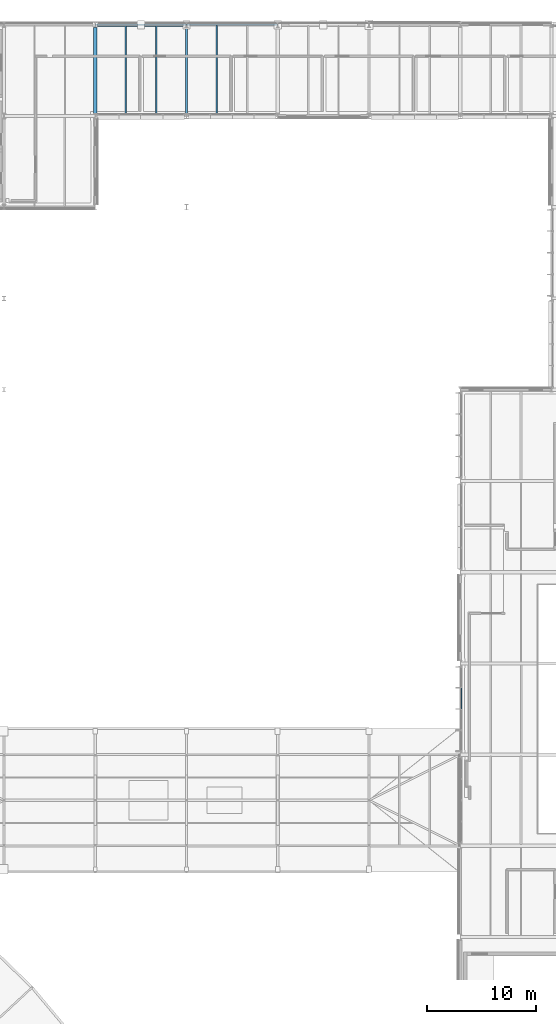
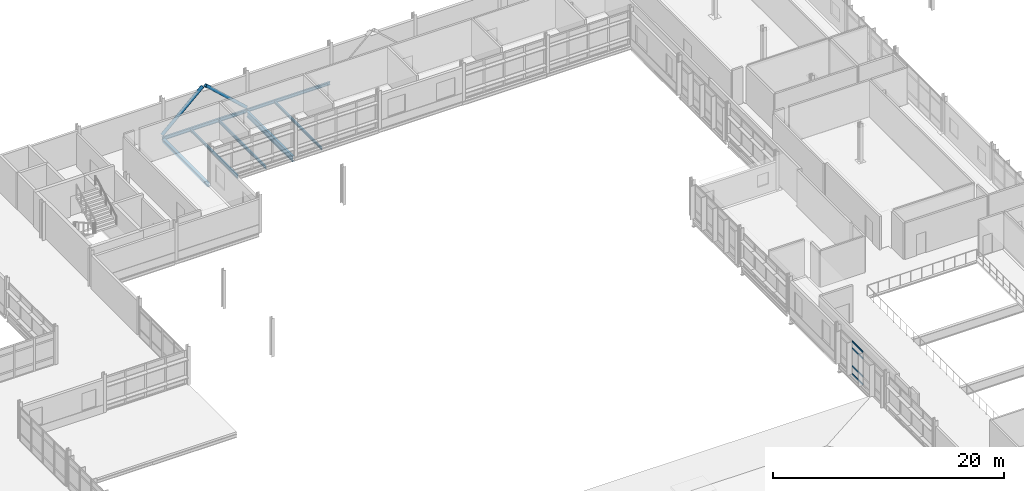
# One storey, part 55 of 151: 7 beams, 6 members, 1 element without a shape of its own.
"""IFC4 building model written with IfcOpenShell, lengths in metres."""

import ifcopenshell
import ifcopenshell.guid

model = None  # the IFC model being written
_history = None  # IfcOwnerHistory: only IFC2X3 demands one
_inside = {}  # id of a spatial element -> (the spatial element, [elements in it])
_under = {}  # id of a project, library or spatial element -> (it, [spatial elements below it])
_declared = {}  # id of a project -> (the project, [libraries it declares])
_typed = {}  # id of a type object -> (the type object, [elements of that type])
_made_of = {}  # id of a material, layer set ... -> (it, [elements and type objects made of it])


def new_model(schema):
    """Start an empty IFC model of exactly this schema.

    Asked for "IFC4X3", IfcOpenShell would pick the latest addendum, in which some entities
    have other attributes; the version numbers below select the first issue.
    IFC2X3 requires an IfcOwnerHistory on every rooted entity: one is made here for all.
    """
    global model, _history
    if schema == "IFC4X3":
        model = ifcopenshell.file(schema_version=(4, 3, 0, 0))
    else:
        model = ifcopenshell.file(schema=schema)
    _inside.clear()
    _under.clear()
    _declared.clear()
    _typed.clear()
    _made_of.clear()
    _history = None
    if model.schema == "IFC2X3":
        org = make("IfcOrganization", Name="unknown")
        user = make(
            "IfcPersonAndOrganization",
            ThePerson=make("IfcPerson", FamilyName="unknown"),
            TheOrganization=org,
        )
        app = make(
            "IfcApplication",
            ApplicationDeveloper=org,
            Version="unknown",
            ApplicationFullName="unknown",
            ApplicationIdentifier="unknown",
        )
        _history = make(
            "IfcOwnerHistory",
            OwningUser=user,
            OwningApplication=app,
            ChangeAction="ADDED",
            CreationDate=0,
        )
    return model


def make(cls, **values):
    """One entity of the class cls with the attributes given. An attribute that is None is left unset."""
    return model.create_entity(
        cls, **{name: value for name, value in values.items() if value is not None}
    )


def rooted(cls, **values):
    """An entity with a GlobalId (a new one), such as an element, a storey or a relation."""
    return make(cls, GlobalId=ifcopenshell.guid.new(), OwnerHistory=_history, **values)


def si_unit(unit_type, name, prefix=None):
    """IfcSIUnit, for example si_unit("LENGTHUNIT", "METRE", prefix="MILLI")."""
    return make("IfcSIUnit", UnitType=unit_type, Prefix=prefix, Name=name)


def assignment(units):
    """IfcUnitAssignment: the units of a project."""
    return None if units is None else make("IfcUnitAssignment", Units=units)


def point(xyz):
    """IfcCartesianPoint."""
    return None if xyz is None else make("IfcCartesianPoint", Coordinates=xyz)


def direction(xyz):
    """IfcDirection."""
    return None if xyz is None else make("IfcDirection", DirectionRatios=xyz)


def frame(location, z_axis=None, x_axis=None):
    """IfcAxis2Placement3D, a coordinate frame: its origin and axes. An axis left out is left unset."""
    return make(
        "IfcAxis2Placement3D",
        Location=point(location),
        Axis=direction(z_axis),
        RefDirection=direction(x_axis),
    )


def frame_2d(location, x_axis=None):
    """IfcAxis2Placement2D, a coordinate frame in the plane: its origin and x axis."""
    return make(
        "IfcAxis2Placement2D", Location=point(location), RefDirection=direction(x_axis)
    )


def origin():
    """The frame at (0, 0, 0) with its axes left unset."""
    return frame((0.0, 0.0, 0.0))


def origin_2d():
    """The frame at (0, 0) in the plane with its x axis left unset."""
    return frame_2d((0.0, 0.0))


def place(relative_to, where):
    """IfcLocalPlacement: puts the frame where relative to a parent placement (None: the world)."""
    return make(
        "IfcLocalPlacement", PlacementRelTo=relative_to, RelativePlacement=where
    )


def context(
    kind, dimensions, precision=None, world=None, true_north=None, identifier=None
):
    """IfcGeometricRepresentationContext, for example the 3D "Model" context."""
    return make(
        "IfcGeometricRepresentationContext",
        ContextIdentifier=identifier,
        ContextType=kind,
        CoordinateSpaceDimension=dimensions,
        Precision=precision,
        WorldCoordinateSystem=world,
        TrueNorth=true_north,
    )


def subcontext(parent, identifier, kind, view, scale=None):
    """IfcGeometricRepresentationSubContext, for example "Body" below "Model"."""
    return make(
        "IfcGeometricRepresentationSubContext",
        ContextIdentifier=identifier,
        ContextType=kind,
        ParentContext=parent,
        TargetScale=scale,
        TargetView=view,
    )


def project(units=None, contexts=None):
    """IfcProject with its units and contexts."""
    return rooted(
        "IfcProject",
        Name="project",
        RepresentationContexts=contexts,
        UnitsInContext=assignment(units),
    )


def spatial(cls, under=None, at=None, **own):
    """A site, building, storey or space (cls), placed at a placement, below another one or the project."""
    s = rooted(cls, ObjectPlacement=at, **own)
    if under is not None:
        _under.setdefault(under.id(), (under, []))[1].append(s)
    return s


def profile(cls, at=None, kind="AREA", **sizes):
    """A parametric profile (cls). Its sizes go by their IFC names, for example OverallWidth=200.0."""
    return make(cls, ProfileType=kind, Position=at, **sizes)


def hollow_rectangle(**sizes):
    """IfcRectangleHollowProfileDef."""
    return profile("IfcRectangleHollowProfileDef", **sizes)


def hollow_circle(**sizes):
    """IfcCircleHollowProfileDef."""
    return profile("IfcCircleHollowProfileDef", **sizes)


def i_section(**sizes):
    """IfcIShapeProfileDef."""
    return profile("IfcIShapeProfileDef", **sizes)


def extrude(swept, where, along, depth):
    """IfcExtrudedAreaSolid: the profile swept, set in the frame where, extruded along a direction by depth."""
    return make(
        "IfcExtrudedAreaSolid",
        SweptArea=swept,
        Position=where,
        ExtrudedDirection=direction(along),
        Depth=depth,
    )


def shape(context_of_items, identifier, shape_type, items):
    """IfcShapeRepresentation: the items that make up one representation, for example the "Body"."""
    return make(
        "IfcShapeRepresentation",
        ContextOfItems=context_of_items,
        RepresentationIdentifier=identifier,
        RepresentationType=shape_type,
        Items=items,
    )


def material(Name=None, Category=None):
    """IfcMaterial."""
    return make("IfcMaterial", Name=Name, Category=Category)


def material_profile(
    of_material, cross_section, Name=None, Category=None, Priority=None
):
    """IfcMaterialProfile: a cross section and its material."""
    return make(
        "IfcMaterialProfile",
        Name=Name,
        Material=of_material,
        Profile=cross_section,
        Priority=Priority,
        Category=Category,
    )


def profile_set(profiles, Name=None, composite=None):
    """IfcMaterialProfileSet."""
    return make(
        "IfcMaterialProfileSet",
        Name=Name,
        MaterialProfiles=profiles,
        CompositeProfile=composite,
    )


def made_of(thing, what):
    """Note that an element or type object is made of a material, layer set ...; save() writes the relation."""
    if what is not None:
        _made_of.setdefault(what.id(), (what, []))[1].append(thing)
    return thing


def type_object(cls, material=None, **own):
    """A type object (cls), such as IfcWallType, which elements share."""
    return made_of(rooted(cls, **own), material)


def element(
    cls,
    number,
    at=None,
    inside=None,
    cuts=None,
    type_object=None,
    material=None,
    context=None,
    identifier="Body",
    shape_type=None,
    held_by="IfcProductDefinitionShape",
    body=None,
    shapes=None,
    **own,
):
    """One element of the class cls, such as IfcWall. Its Tag is "e" and its number.

    at: its placement. inside: the storey or other place that contains it. cuts: it is an
    opening in that element (IfcRelVoidsElement). A single representation is given by context,
    identifier, shape_type and body (its items); several are given by shapes. held_by: the class
    of the entity that holds the representations. save() writes the other relations.
    """
    e = rooted(cls, Tag="e%d" % number, ObjectPlacement=at, **own)
    if body is not None:
        shapes = [shape(context, identifier, shape_type, body)]
    if shapes is not None:
        e.Representation = make(held_by, Representations=shapes)
    if inside is not None:
        _inside.setdefault(inside.id(), (inside, []))[1].append(e)
    if cuts is not None:
        rooted(
            "IfcRelVoidsElement", RelatingBuildingElement=cuts, RelatedOpeningElement=e
        )
    if type_object is not None:
        _typed.setdefault(type_object.id(), (type_object, []))[1].append(e)
    return made_of(e, material)


def aggregate(whole, parts):
    """IfcRelAggregates: a whole, such as a stair, and the parts it consists of."""
    return rooted("IfcRelAggregates", RelatingObject=whole, RelatedObjects=parts)


def save(model, path):
    """Write the relations noted so far, then the file.

    IfcRelAggregates (storeys below a building ...), IfcRelContainedInSpatialStructure (elements
    in a storey), IfcRelDefinesByType, IfcRelAssociatesMaterial and IfcRelDeclares: one each for
    every whole, place, type object, material and project.
    """
    for whole, parts in _under.values():
        aggregate(whole, parts)
    for where, things in _inside.values():
        rooted(
            "IfcRelContainedInSpatialStructure",
            RelatedElements=things,
            RelatingStructure=where,
        )
    for kind, things in _typed.values():
        rooted("IfcRelDefinesByType", RelatedObjects=things, RelatingType=kind)
    for what, things in _made_of.values():
        rooted("IfcRelAssociatesMaterial", RelatedObjects=things, RelatingMaterial=what)
    for by, libraries in _declared.values():
        rooted("IfcRelDeclares", RelatingContext=by, RelatedDefinitions=libraries)
    model.write(path)


model = new_model("IFC4")

# Units and contexts
model_context = context("Model", 3, precision=1e-05, world=origin(), true_north=direction((0.0, 1.0)))
body_context = subcontext(model_context, "Body", "Model", "MODEL_VIEW")
ifc_project = project(units=[si_unit("LENGTHUNIT", "METRE"), si_unit("AREAUNIT", "SQUARE_METRE"), si_unit("VOLUMEUNIT", "CUBIC_METRE"), si_unit("PLANEANGLEUNIT", "RADIAN"), si_unit("MASSUNIT", "GRAM", prefix="KILO")], contexts=[model_context])

# Site, building, storey
site_placement = place(None, origin())
site = spatial("IfcSite", under=ifc_project, at=site_placement, CompositionType="ELEMENT")
building_placement = place(site_placement, origin())
building = spatial("IfcBuilding", under=site, at=building_placement, Name="Mersafa Astral City Hall", CompositionType="ELEMENT")
storey_placement = place(building_placement, frame((0.0, 0.0, 9.89990234375)))
storey = spatial("IfcBuildingStorey", under=building, at=storey_placement, Name="L02", CompositionType="ELEMENT", Elevation=9.89990234375)

# Curtain wall, members
ifc_material_1 = material(Name="Anodised bronze aluminium framing", Category="aluminium")
curtain_wall_type = type_object("IfcCurtainWallType", Name="ENV-CW-3", PredefinedType="USERDEFINED", material=ifc_material_1)
curtain_wall_placement = place(storey_placement, origin())
curtain_wall = element("IfcCurtainWall", 1, at=curtain_wall_placement, inside=storey, type_object=curtain_wall_type, Name="L02 Unitised solar curtain wall 146", ObjectType="UNITISED CURTAIN WALL", PredefinedType="USERDEFINED")
ifc_material_profile_1 = material_profile(ifc_material_1, hollow_rectangle(XDim=0.06005859375, YDim=0.159912109375, WallThickness=0.00390625, at=origin_2d()), Name="RHS 60x160x4")
ifc_profile_set_1 = profile_set([ifc_material_profile_1], Name="Anodised bronze aluminium framing")
member_type_1 = type_object("IfcMemberType", Name="ENV-CW-TRN-2", PredefinedType="USERDEFINED", material=ifc_profile_set_1)
member_1_placement = place(storey_placement, frame((92.52001953125, 64.926513671875, 0.028076171875), z_axis=(0.0, -1.0, 0.0), x_axis=(1.0, 0.0, 0.0)))
member_1 = element("IfcMember", 2, at=member_1_placement, type_object=member_type_1, Name="CW-3 transom 2.1", ObjectType="TRANSOM", PredefinedType="USERDEFINED", context=body_context, shape_type="SweptSolid", body=[
    extrude(hollow_rectangle(XDim=0.06005859375, YDim=0.159912109375, WallThickness=0.00390625, at=origin_2d()), origin(), (0.0, 0.0, 1.0), 1.896484375),
])
member_2_placement = place(storey_placement, frame((92.52001953125, 64.926513671875, 0.85009765625), z_axis=(0.0, -1.0, 0.0), x_axis=(1.0, 0.0, 0.0)))
member_2 = element("IfcMember", 3, at=member_2_placement, type_object=member_type_1, Name="CW-3 transom 2.2", ObjectType="TRANSOM", PredefinedType="USERDEFINED", context=body_context, shape_type="SweptSolid", body=[
    extrude(hollow_rectangle(XDim=0.06005859375, YDim=0.159912109375, WallThickness=0.00390625, at=origin_2d()), origin(), (0.0, 0.0, 1.0), 1.896484375),
])
member_3_placement = place(storey_placement, frame((92.52001953125, 64.926513671875, 2.75), z_axis=(0.0, -1.0, 0.0), x_axis=(1.0, 0.0, 0.0)))
member_3 = element("IfcMember", 4, at=member_3_placement, type_object=member_type_1, Name="CW-3 transom 2.3", ObjectType="TRANSOM", PredefinedType="USERDEFINED", context=body_context, shape_type="SweptSolid", body=[
    extrude(hollow_rectangle(XDim=0.06005859375, YDim=0.159912109375, WallThickness=0.00390625, at=origin_2d()), origin(), (0.0, 0.0, 1.0), 1.896484375),
])
member_4_placement = place(storey_placement, frame((92.52001953125, 64.926513671875, 3.45703125), z_axis=(0.0, -1.0, 0.0), x_axis=(1.0, 0.0, 0.0)))
member_4 = element("IfcMember", 5, at=member_4_placement, type_object=member_type_1, Name="CW-3 transom 2.4", ObjectType="TRANSOM", PredefinedType="USERDEFINED", context=body_context, shape_type="SweptSolid", body=[
    extrude(hollow_rectangle(XDim=0.06005859375, YDim=0.159912109375, WallThickness=0.00390625, at=origin_2d()), origin(), (0.0, 0.0, 1.0), 1.896484375),
])
aggregate(curtain_wall, [member_1, member_2, member_3, member_4])

# Beams
ifc_material_2 = material(Name="Steel S355", Category="steel")
ifc_material_profile_2 = material_profile(ifc_material_2, i_section(OverallWidth=0.300048828125, OverallDepth=0.31005859375, WebThickness=0.009033203125, FlangeThickness=0.015380859375, FilletRadius=0.027099609375, at=origin_2d()), Name="HEA 320")
ifc_profile_set_2 = profile_set([ifc_material_profile_2], Name="Steel S355")
beam_type_1 = type_object("IfcBeamType", Name="STR-BM-HEA320", PredefinedType="BEAM", material=ifc_profile_set_2)
beam_1_placement = place(storey_placement, frame((58.800048828125, 117.844970703125, -0.35498046875), z_axis=(0.0, 1.0, 0.0), x_axis=(-1.0, 0.0, 0.0)))
element("IfcBeam", 6, at=beam_1_placement, inside=storey, type_object=beam_type_1, Name="L02 Primary girder Y 7-14", PredefinedType="BEAM", context=body_context, shape_type="SweptSolid", body=[
    extrude(i_section(OverallWidth=0.300048828125, OverallDepth=0.31005859375, WebThickness=0.009033203125, FlangeThickness=0.015380859375, FilletRadius=0.027099609375, at=origin_2d()), origin(), (0.0, 0.0, 1.0), 7.909912109375),
])
ifc_material_profile_3 = material_profile(ifc_material_2, i_section(OverallWidth=0.219970703125, OverallDepth=0.60009765625, WebThickness=0.011962890625, FlangeThickness=0.01904296875, FilletRadius=0.02392578125, at=origin_2d()), Name="IPE 600")
ifc_profile_set_3 = profile_set([ifc_material_profile_3], Name="Steel S355")
beam_type_2 = type_object("IfcBeamType", Name="STR-BM-IPE600", PredefinedType="BEAM", material=ifc_profile_set_3)
beam_2_placement = place(storey_placement, frame((67.199951171875, 117.844970703125, -0.5), z_axis=(0.0, 1.0, 0.0), x_axis=(-1.0, 0.0, 0.0)))
element("IfcBeam", 7, at=beam_2_placement, inside=storey, type_object=beam_type_2, Name="L02 Primary girder Y 8-14", PredefinedType="BEAM", context=body_context, shape_type="SweptSolid", body=[
    extrude(i_section(OverallWidth=0.219970703125, OverallDepth=0.60009765625, WebThickness=0.011962890625, FlangeThickness=0.01904296875, FilletRadius=0.02392578125, at=origin_2d()), origin(), (0.0, 0.0, 1.0), 7.909912109375),
])
ifc_material_profile_4 = material_profile(ifc_material_2, i_section(OverallWidth=0.135009765625, OverallDepth=0.27001953125, WebThickness=0.006591796875, FlangeThickness=0.01025390625, FilletRadius=0.014892578125, at=origin_2d()), Name="IPE 270")
ifc_profile_set_4 = profile_set([ifc_material_profile_4], Name="Steel S355")
beam_type_3 = type_object("IfcBeamType", Name="STR-BM-JOIST-IPE270", PredefinedType="JOIST", material=ifc_profile_set_4)
beam_3_placement = place(storey_placement, frame((70.0, 117.679931640625, -0.3349609375), z_axis=(0.0, 1.0, 0.0), x_axis=(-1.0, 0.0, 0.0)))
element("IfcBeam", 8, at=beam_3_placement, inside=storey, type_object=beam_type_3, Name="L02 Composite secondary floor joist 428", PredefinedType="JOIST", context=body_context, shape_type="SweptSolid", body=[
    extrude(i_section(OverallWidth=0.135009765625, OverallDepth=0.27001953125, WebThickness=0.006591796875, FlangeThickness=0.01025390625, FilletRadius=0.014892578125, at=origin_2d()), origin(), (0.0, 0.0, 1.0), 8.2451171875),
])
ifc_material_profile_5 = material_profile(ifc_material_2, i_section(OverallWidth=0.14990234375, OverallDepth=0.300048828125, WebThickness=0.007080078125, FlangeThickness=0.0107421875, FilletRadius=0.014892578125, at=origin_2d()), Name="IPE 300")
ifc_profile_set_5 = profile_set([ifc_material_profile_5], Name="Steel S355")
beam_type_4 = type_object("IfcBeamType", Name="STR-BM-JOIST-IPE300", PredefinedType="JOIST", material=ifc_profile_set_5)
for number, where, z_axis, x_axis, name in (
    (9, (61.60009765625, 117.675048828125, -0.349853515625), (0.0, 1.0, 0.0), (-1.0, 0.0, 0.0), "L02 Composite secondary floor joist 426"),
    (10, (64.39990234375, 117.675048828125, -0.349853515625), (0.0, 1.0, 0.0), (-1.0, 0.0, 0.0), "L02 Composite secondary floor joist 427"),
):
    element("IfcBeam", number, at=place(storey_placement, frame(where, z_axis=z_axis, x_axis=x_axis)), inside=storey, type_object=beam_type_4, Name=name, PredefinedType="JOIST", context=body_context, shape_type="SweptSolid", body=[
        extrude(i_section(OverallWidth=0.14990234375, OverallDepth=0.300048828125, WebThickness=0.007080078125, FlangeThickness=0.0107421875, FilletRadius=0.014892578125, at=origin_2d()), origin(), (0.0, 0.0, 1.0), 8.244873046875),
    ])
ifc_material_profile_6 = material_profile(ifc_material_2, i_section(OverallWidth=0.159912109375, OverallDepth=0.330078125, WebThickness=0.007568359375, FlangeThickness=0.011474609375, FilletRadius=0.01806640625, at=origin_2d()), Name="IPE 330")
ifc_profile_set_6 = profile_set([ifc_material_profile_6], Name="Steel S355")
beam_type_5 = type_object("IfcBeamType", Name="STR-BM-SPANDREL-IPE330", PredefinedType="SPANDREL", material=ifc_profile_set_6)
beam_4_placement = place(storey_placement, frame((67.202880859375, 126.0, -0.364990234375), z_axis=(1.0, 0.0, 0.0), x_axis=(0.0, 1.0, 0.0)))
element("IfcBeam", 11, at=beam_4_placement, inside=storey, type_object=beam_type_5, Name="L02 Primary girder X 8-15", PredefinedType="SPANDREL", context=body_context, shape_type="SweptSolid", body=[
    extrude(i_section(OverallWidth=0.159912109375, OverallDepth=0.330078125, WebThickness=0.007568359375, FlangeThickness=0.011474609375, FilletRadius=0.01806640625, at=origin_2d()), origin(), (0.0, 0.0, 1.0), 8.39404296875),
])
ifc_material_profile_7 = material_profile(ifc_material_2, i_section(OverallWidth=0.169921875, OverallDepth=0.360107421875, WebThickness=0.008056640625, FlangeThickness=0.0126953125, FilletRadius=0.01806640625, at=origin_2d()), Name="IPE 360")
ifc_profile_set_7 = profile_set([ifc_material_profile_7], Name="Steel S355")
beam_type_6 = type_object("IfcBeamType", Name="STR-BM-SPANDREL-IPE360", PredefinedType="SPANDREL", material=ifc_profile_set_7)
beam_5_placement = place(storey_placement, frame((58.802978515625, 126.0, -0.3798828125), z_axis=(1.0, 0.0, 0.0), x_axis=(0.0, 1.0, 0.0)))
element("IfcBeam", 12, at=beam_5_placement, inside=storey, type_object=beam_type_6, Name="L02 Primary girder X 7-15", PredefinedType="SPANDREL", context=body_context, shape_type="SweptSolid", body=[
    extrude(i_section(OverallWidth=0.169921875, OverallDepth=0.360107421875, WebThickness=0.008056640625, FlangeThickness=0.0126953125, FilletRadius=0.01806640625, at=origin_2d()), origin(), (0.0, 0.0, 1.0), 8.39404296875),
])

# Members
ifc_material_profile_8 = material_profile(ifc_material_2, hollow_circle(Radius=0.161865234375, WallThickness=0.01611328125, at=origin_2d()), Name="CHS 323.9x16")
ifc_profile_set_8 = profile_set([ifc_material_profile_8], Name="Steel S355")
member_type_2 = type_object("IfcMemberType", Name="STR-MBR-BRACE-CHS324", PredefinedType="BRACE", material=ifc_profile_set_8)
for number, where, z_axis, x_axis, name in (
    (13, (58.798095703125, 126.0, 0.02001953125), (0.736569496394, 0.0, 0.676361868368), (0.0, 1.0, 0.0), "L02 Chevron lateral brace 4A"),
    (14, (67.201904296875, 126.0, 0.02001953125), (-0.736569496394, 0.0, 0.676361868368), (0.0, -1.0, 0.0), "L02 Chevron lateral brace 4B"),
):
    element("IfcMember", number, at=place(storey_placement, frame(where, z_axis=z_axis, x_axis=x_axis)), inside=storey, type_object=member_type_2, Name=name, PredefinedType="BRACE", context=body_context, shape_type="SweptSolid", body=[
        extrude(hollow_circle(Radius=0.161865234375, WallThickness=0.01611328125, at=origin_2d()), origin(), (0.0, 0.0, 1.0), 5.5146484375),
    ])

save(model, "model.ifc")
